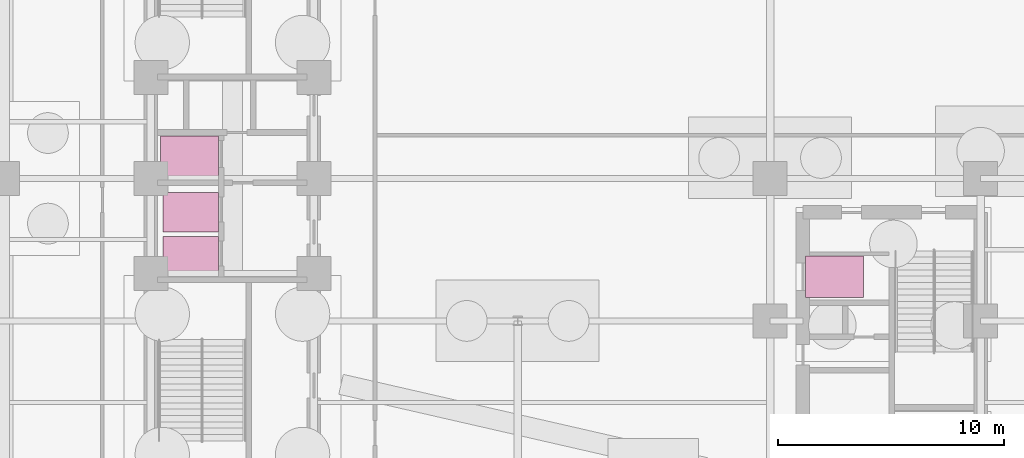
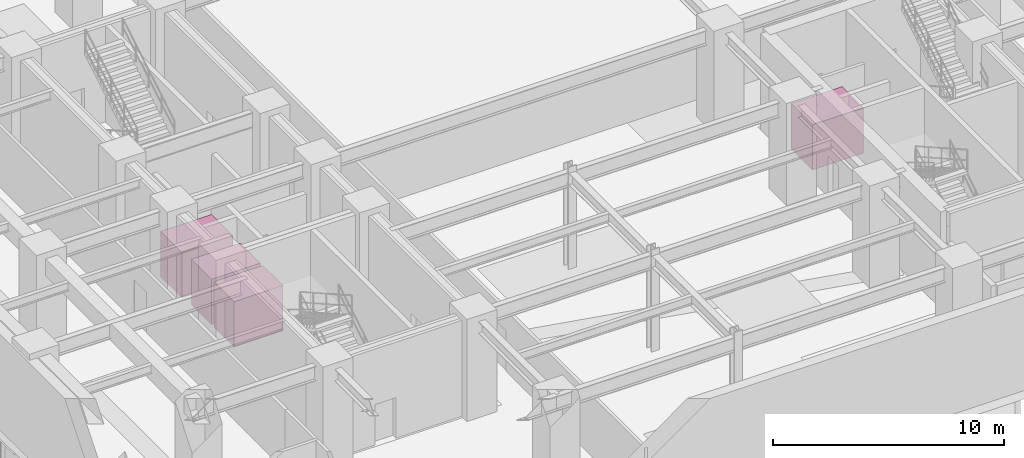
# One storey, part 11 of 11: 4 transport elements.
"""IFC4 building model written with IfcOpenShell, lengths in metres."""

from ifc_helpers import new_model, entity, si_unit, converted_unit, direction, frame, origin_with_axes, origin_2d_with_axis, place, context, subcontext, project, spatial, rectangle, extrude, material, type_object, element, save


model = new_model("IFC4")

# Units and contexts
model_context = context("Model", 3, precision=1e-05, world=origin_with_axes(), true_north=direction((0.0, 1.0)))
body_context = subcontext(model_context, "Body", "Model", "MODEL_VIEW")
ifc_project = project(units=[si_unit("LENGTHUNIT", "METRE"), si_unit("AREAUNIT", "SQUARE_METRE"), si_unit("VOLUMEUNIT", "CUBIC_METRE"), converted_unit("PLANEANGLEUNIT", "DEGREE", entity("IfcPlaneAngleMeasure", 0.017453292519943295), si_unit("PLANEANGLEUNIT", "RADIAN"), dimensions=[0, 0, 0, 0, 0, 0, 0]), si_unit("MASSUNIT", "GRAM", prefix="KILO"), si_unit("THERMODYNAMICTEMPERATUREUNIT", "KELVIN")], contexts=[model_context])

# Site, building, storey
site_placement = place(None, origin_with_axes())
site = spatial("IfcSite", under=ifc_project, at=site_placement, CompositionType="ELEMENT")
building_placement = place(site_placement, origin_with_axes())
building = spatial("IfcBuilding", under=site, at=building_placement, Name="Varnlund Millrace Tower", CompositionType="ELEMENT")
storey_placement = place(building_placement, frame((0.0, 0.0, -10.2), z_axis=(0.0, 0.0, 1.0), x_axis=(1.0, 0.0, 0.0)))
storey = spatial("IfcBuildingStorey", under=building, at=storey_placement, Name="B2", CompositionType="ELEMENT", Elevation=-10.2)

# Transport elements
ifc_material = material(Name="Stainless steel and architectural bronze elevator cab", Category="steel")
transport_element_type_1 = type_object("IfcTransportElementType", Name="Type-Lift-FSAE-1750X2450", PredefinedType="ELEVATOR", material=ifc_material)
for number, where, z_axis, x_axis, name in (
    (1, (13.15, 20.85, 0.0), (0.0, 0.0, 1.0), (1.0, 0.0, 0.0), "Firefighting Lift FSAE-1"),
    (2, (13.15, 22.8, 0.0), (0.0, 0.0, 1.0), (1.0, 0.0, 0.0), "Firefighting Lift FSAE-2"),
):
    element("IfcTransportElement", number, at=place(storey_placement, frame(where, z_axis=z_axis, x_axis=x_axis)), inside=storey, type_object=transport_element_type_1, Name=name, PredefinedType="ELEVATOR", context=body_context, shape_type="SweptSolid", body=[
        extrude(rectangle(XDim=2.45, YDim=1.75, at=origin_2d_with_axis()), origin_with_axes(), (0.0, 0.0, 1.0), 2.4),
    ])
transport_element_type_2 = type_object("IfcTransportElementType", Name="Type-Lift-Freight-1850X2550", PredefinedType="ELEVATOR", material=ifc_material)
for number, where, z_axis, x_axis, name in (
    (3, (13.1, 25.25, 0.0), (0.0, 0.0, 1.0), (1.0, 0.0, 0.0), "Service Lift SRV-1"),
    (4, (41.6, 19.95, 0.0), (0.0, 0.0, 1.0), (1.0, 0.0, 0.0), "Service Lift SRV-2"),
):
    element("IfcTransportElement", number, at=place(storey_placement, frame(where, z_axis=z_axis, x_axis=x_axis)), inside=storey, type_object=transport_element_type_2, Name=name, PredefinedType="ELEVATOR", context=body_context, shape_type="SweptSolid", body=[
        extrude(rectangle(XDim=2.55, YDim=1.85, at=origin_2d_with_axis()), origin_with_axes(), (0.0, 0.0, 1.0), 2.4),
    ])

save(model, "model.ifc")
